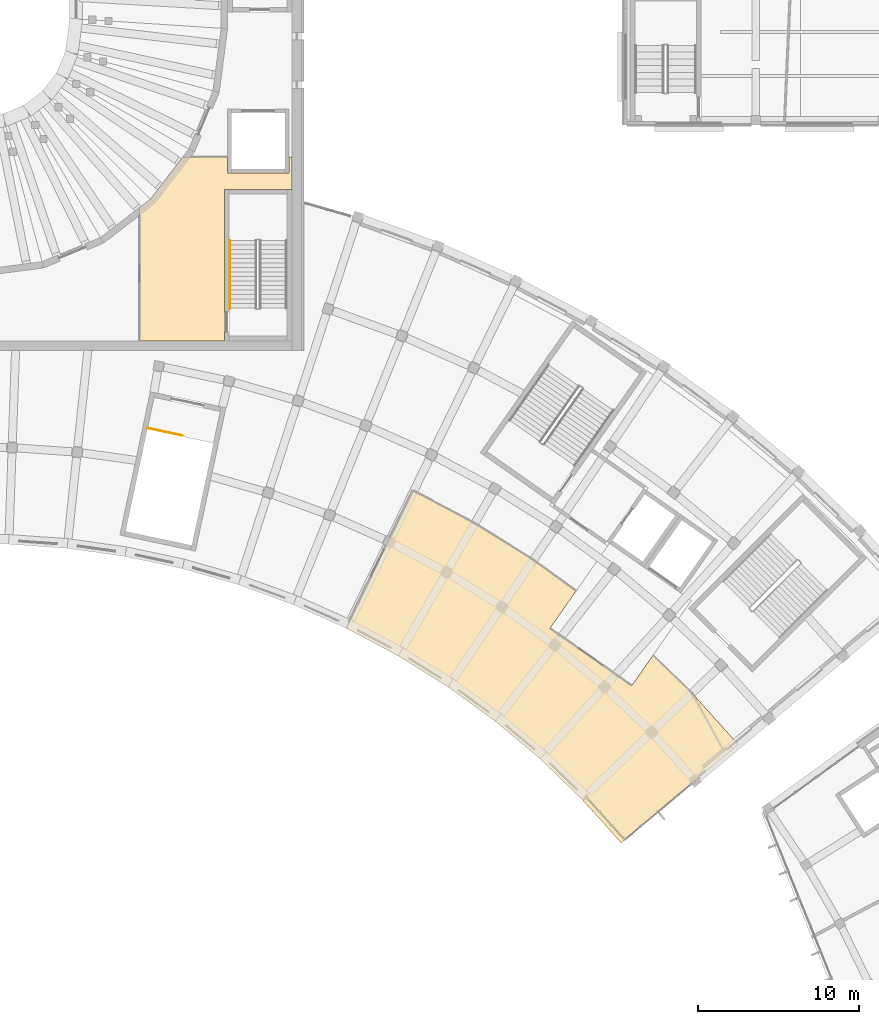
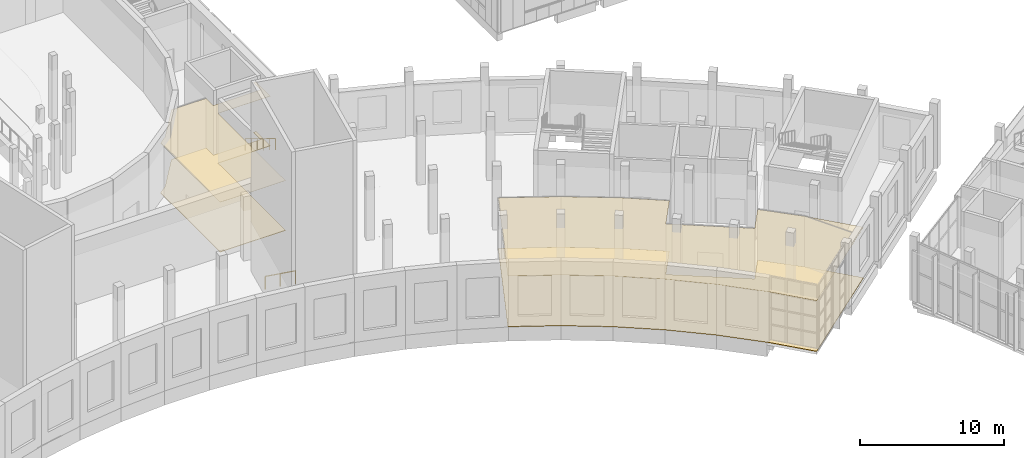
# One storey, part 60 of 87: 4 coverings, 2 railings.
"""IFC4 building model written with IfcOpenShell, lengths in metres."""

from ifc_helpers import new_model, si_unit, direction, frame, origin, origin_2d, place, context, subcontext, project, spatial, polyline, circle, outline, extrude, material, layer, layer_set, type_object, element, save


model = new_model("IFC4")

# Units and contexts
model_context = context("Model", 3, precision=1e-05, world=origin(), true_north=direction((0.0, 1.0)))
body_context = subcontext(model_context, "Body", "Model", "MODEL_VIEW")
ifc_project = project(units=[si_unit("LENGTHUNIT", "METRE"), si_unit("AREAUNIT", "SQUARE_METRE"), si_unit("VOLUMEUNIT", "CUBIC_METRE"), si_unit("PLANEANGLEUNIT", "RADIAN"), si_unit("MASSUNIT", "GRAM", prefix="KILO")], contexts=[model_context])

# Site, building, storey
site_placement = place(None, origin())
site = spatial("IfcSite", under=ifc_project, at=site_placement, CompositionType="ELEMENT")
building_placement = place(site_placement, origin())
building = spatial("IfcBuilding", under=site, at=building_placement, Name="Lunette Opera House", CompositionType="ELEMENT")
storey_placement = place(building_placement, frame((0.0, 0.0, 11.5)))
storey = spatial("IfcBuildingStorey", under=building, at=storey_placement, Name="L02", CompositionType="ELEMENT", Elevation=11.5)

# Railings
ifc_material_1 = material(Name="Steel S355", Category="steel")
railing_type_1 = type_object("IfcRailingType", Name="STAIR GUARD 1100", PredefinedType="GUARDRAIL", material=ifc_material_1)
railing_1_placement = place(storey_placement, frame((106.4306640625, 59.1748046875, 0.0)))
element("IfcRailing", 1, at=railing_1_placement, inside=storey, type_object=railing_type_1, Name="L02 GS2 top well guard 1", PredefinedType="GUARDRAIL", context=body_context, shape_type="SweptSolid", body=[
    extrude(circle(Radius=0.02392578125, at=origin_2d()), frame((0.0, 0.0, 1.076171875), z_axis=(0.978158286817, -0.207861410394, 0.0), x_axis=(0.207861410394, 0.978158286817, 0.0)), (0.0, 0.0, 1.0), 2.199951171875),
    extrude(circle(Radius=0.02099609375, at=origin_2d()), origin(), (0.0, 0.0, 1.0), 1.052001953125),
    extrude(circle(Radius=0.02099609375, at=origin_2d()), frame((1.075927734375, -0.228515625, 0.0)), (0.0, 0.0, 1.0), 1.052001953125),
    extrude(circle(Radius=0.02099609375, at=origin_2d()), frame((2.15185546875, -0.457275390625, 0.0)), (0.0, 0.0, 1.0), 1.052001953125),
])
ifc_material_2 = material(Name="Steel S355", Category="steel")
railing_type_2 = type_object("IfcRailingType", Name="STAIR HANDRAIL 1000", PredefinedType="HANDRAIL", material=ifc_material_2)
railing_2_placement = place(storey_placement, frame((111.550048828125, 70.820068359375, 2.921875)))
element("IfcRailing", 2, at=railing_2_placement, inside=storey, type_object=railing_type_2, Name="L02 ST8 stair handrail 2", PredefinedType="HANDRAIL", context=body_context, shape_type="SweptSolid", body=[
    extrude(circle(Radius=0.02392578125, at=origin_2d()), frame((0.0, 0.0, 0.97607421875), z_axis=(0.0, -0.852242915053, 0.523146264196), x_axis=(1.0, 0.0, 0.0)), (0.0, 0.0, 1.0), 4.92822265625),
    extrude(circle(Radius=0.02099609375, at=origin_2d()), origin(), (0.0, 0.0, 1.0), 0.951904296875),
    extrude(circle(Radius=0.02099609375, at=origin_2d()), frame((0.0, -0.840087890625, 0.515625)), (0.0, 0.0, 1.0), 0.951904296875),
    extrude(circle(Radius=0.02099609375, at=origin_2d()), frame((0.0, -1.679931640625, 1.03125)), (0.0, 0.0, 1.0), 0.951904296875),
    extrude(circle(Radius=0.02099609375, at=origin_2d()), frame((0.0, -2.52001953125, 1.546875)), (0.0, 0.0, 1.0), 0.951904296875),
    extrude(circle(Radius=0.02099609375, at=origin_2d()), frame((0.0, -3.35986328125, 2.0625)), (0.0, 0.0, 1.0), 0.951904296875),
    extrude(circle(Radius=0.02099609375, at=origin_2d()), frame((0.0, -4.199951171875, 2.578125)), (0.0, 0.0, 1.0), 0.951904296875),
])

# Coverings
ifc_material_3 = material(Name="Mineral fibre board")
ifc_layer_1 = layer(ifc_material_3, 0.014892578125)
ifc_layer_set_1 = layer_set([ifc_layer_1], Name="Mineral fibre board")
covering_type_1 = type_object("IfcCoveringType", Name="SUSPENDED ACOUSTIC CEILING 15", PredefinedType="CEILING", material=ifc_layer_set_1)
covering_1_placement = place(storey_placement, frame((0.0, 0.0, 4.31494140625)))
element("IfcCovering", 3, at=covering_1_placement, inside=storey, type_object=covering_type_1, Name="Ceiling Grand Tier Bar", PredefinedType="CEILING", context=body_context, shape_type="SweptSolid", body=[
    extrude(outline(polyline([(126.75, 53.260986328125), (130.389892578125, 50.986083984375), (133.0390625, 49.06103515625), (131.4140625, 46.739990234375), (136.491943359375, 43.18408203125), (137.81103515625, 45.06689453125), (140.239013671875, 42.720947265625), (143.112060546875, 39.531005859375), (139.1640625, 36.218994140625), (135.833984375, 33.425048828125), (134.14501953125, 35.302001953125), (133.406005859375, 36.1220703125), (130.794921875, 38.64404296875), (128.013916015625, 40.97705078125), (125.077880859375, 43.110107421875), (124.840087890625, 43.259033203125), (122.0, 45.032958984375), (118.794921875, 46.737060546875), (118.739990234375, 46.761962890625), (122.89501953125, 55.304931640625), (122.9599609375, 55.27587890625), (126.75, 53.260986328125)])), origin(), (0.0, 0.0, 1.0), 0.01513671875),
])
covering_2_placement = place(storey_placement, frame((0.0, 0.0, 4.235107421875)))
element("IfcCovering", 4, at=covering_2_placement, inside=storey, type_object=covering_type_1, Name="Ceiling Surtitle and Lighting Gallery", PredefinedType="CEILING", context=body_context, shape_type="SweptSolid", body=[
    extrude(outline(polyline([(105.945068359375, 64.60009765625), (105.945068359375, 72.885986328125), (106.60693359375, 73.39306640625), (108.60693359375, 76.0), (111.39990234375, 76.0), (111.39990234375, 75.0), (115.199951171875, 75.0), (115.199951171875, 76.0), (115.39990234375, 76.0), (115.39990234375, 74.0), (111.199951171875, 74.0), (111.199951171875, 64.60009765625), (105.945068359375, 64.60009765625)])), origin(), (0.0, 0.0, 1.0), 0.014892578125),
])
ifc_material_4 = material(Name="Timber", Category="wood")
ifc_layer_2 = layer(ifc_material_4, 0.0400390625)
ifc_layer_set_2 = layer_set([ifc_layer_2], Name="Timber")
covering_type_2 = type_object("IfcCoveringType", Name="TIMBER FLOOR FINISH 40", PredefinedType="FLOORING", material=ifc_layer_set_2)
covering_3_placement = place(storey_placement, origin())
element("IfcCovering", 5, at=covering_3_placement, inside=storey, type_object=covering_type_2, Name="Floor finish Grand Tier Bar", PredefinedType="FLOORING", context=body_context, shape_type="SweptSolid", body=[
    extrude(outline(polyline([(126.75, 53.260986328125), (130.389892578125, 50.986083984375), (133.0390625, 49.06103515625), (131.4140625, 46.739990234375), (136.491943359375, 43.18408203125), (137.81103515625, 45.06689453125), (140.239013671875, 42.720947265625), (143.112060546875, 39.531005859375), (139.1640625, 36.218994140625), (135.833984375, 33.425048828125), (134.14501953125, 35.302001953125), (133.406005859375, 36.1220703125), (130.794921875, 38.64404296875), (128.013916015625, 40.97705078125), (125.077880859375, 43.110107421875), (124.840087890625, 43.259033203125), (122.0, 45.032958984375), (118.794921875, 46.737060546875), (118.739990234375, 46.761962890625), (122.89501953125, 55.304931640625), (122.9599609375, 55.27587890625), (126.75, 53.260986328125)])), origin(), (0.0, 0.0, 1.0), 0.0400390625),
])
covering_4_placement = place(storey_placement, origin())
element("IfcCovering", 6, at=covering_4_placement, inside=storey, type_object=covering_type_2, Name="Floor finish Surtitle and Lighting Gallery", PredefinedType="FLOORING", context=body_context, shape_type="SweptSolid", body=[
    extrude(outline(polyline([(105.945068359375, 64.60009765625), (105.945068359375, 72.885986328125), (106.60693359375, 73.39306640625), (108.60693359375, 76.0), (111.39990234375, 76.0), (111.39990234375, 75.0), (115.199951171875, 75.0), (115.199951171875, 76.0), (115.39990234375, 76.0), (115.39990234375, 74.0), (111.199951171875, 74.0), (111.199951171875, 64.60009765625), (105.945068359375, 64.60009765625)])), origin(), (0.0, 0.0, 1.0), 0.0400390625),
])

save(model, "model.ifc")
